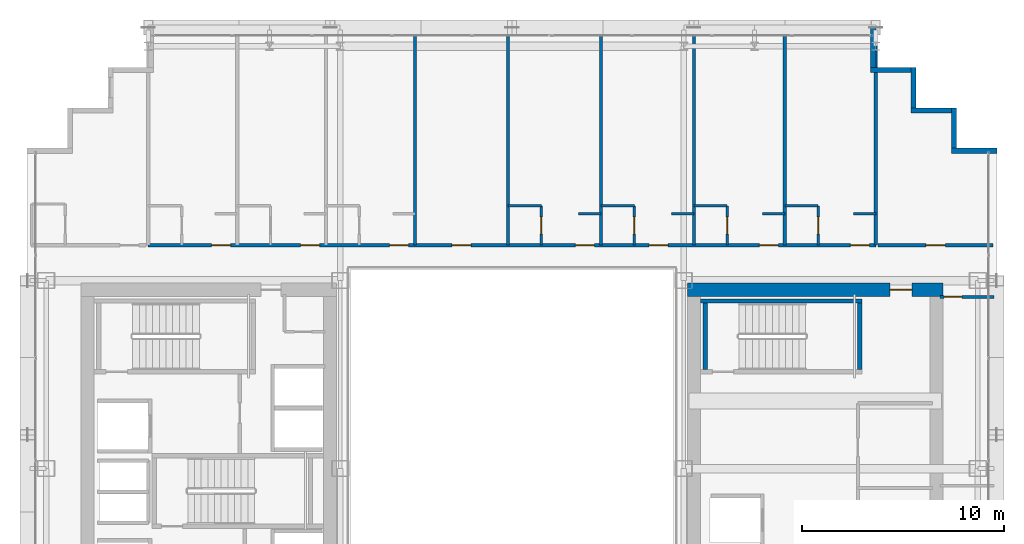
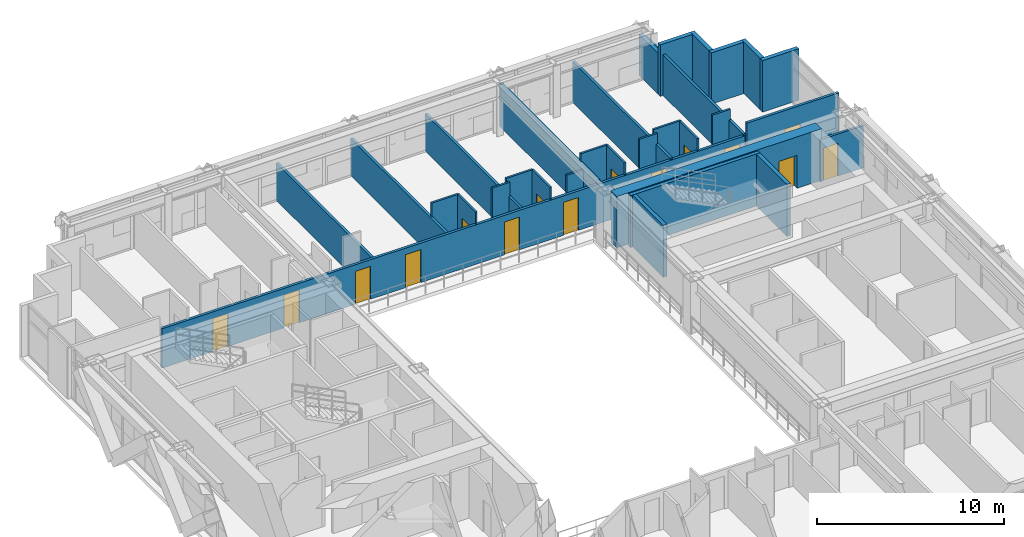
# One storey, part 31 of 36: 31 walls, 15 doors, 15 openings.
"""IFC4 building model written with IfcOpenShell, lengths in metres."""

import ifcopenshell
import ifcopenshell.guid

model = None  # the IFC model being written
_history = None  # IfcOwnerHistory: only IFC2X3 demands one
_inside = {}  # id of a spatial element -> (the spatial element, [elements in it])
_under = {}  # id of a project, library or spatial element -> (it, [spatial elements below it])
_declared = {}  # id of a project -> (the project, [libraries it declares])
_typed = {}  # id of a type object -> (the type object, [elements of that type])
_made_of = {}  # id of a material, layer set ... -> (it, [elements and type objects made of it])


def new_model(schema):
    """Start an empty IFC model of exactly this schema.

    Asked for "IFC4X3", IfcOpenShell would pick the latest addendum, in which some entities
    have other attributes; the version numbers below select the first issue.
    IFC2X3 requires an IfcOwnerHistory on every rooted entity: one is made here for all.
    """
    global model, _history
    if schema == "IFC4X3":
        model = ifcopenshell.file(schema_version=(4, 3, 0, 0))
    else:
        model = ifcopenshell.file(schema=schema)
    _inside.clear()
    _under.clear()
    _declared.clear()
    _typed.clear()
    _made_of.clear()
    _history = None
    if model.schema == "IFC2X3":
        org = make("IfcOrganization", Name="unknown")
        user = make(
            "IfcPersonAndOrganization",
            ThePerson=make("IfcPerson", FamilyName="unknown"),
            TheOrganization=org,
        )
        app = make(
            "IfcApplication",
            ApplicationDeveloper=org,
            Version="unknown",
            ApplicationFullName="unknown",
            ApplicationIdentifier="unknown",
        )
        _history = make(
            "IfcOwnerHistory",
            OwningUser=user,
            OwningApplication=app,
            ChangeAction="ADDED",
            CreationDate=0,
        )
    return model


def make(cls, **values):
    """One entity of the class cls with the attributes given. An attribute that is None is left unset."""
    return model.create_entity(
        cls, **{name: value for name, value in values.items() if value is not None}
    )


def rooted(cls, **values):
    """An entity with a GlobalId (a new one), such as an element, a storey or a relation."""
    return make(cls, GlobalId=ifcopenshell.guid.new(), OwnerHistory=_history, **values)


def si_unit(unit_type, name, prefix=None):
    """IfcSIUnit, for example si_unit("LENGTHUNIT", "METRE", prefix="MILLI")."""
    return make("IfcSIUnit", UnitType=unit_type, Prefix=prefix, Name=name)


def assignment(units):
    """IfcUnitAssignment: the units of a project."""
    return None if units is None else make("IfcUnitAssignment", Units=units)


def point(xyz):
    """IfcCartesianPoint."""
    return None if xyz is None else make("IfcCartesianPoint", Coordinates=xyz)


def direction(xyz):
    """IfcDirection."""
    return None if xyz is None else make("IfcDirection", DirectionRatios=xyz)


def frame(location, z_axis=None, x_axis=None):
    """IfcAxis2Placement3D, a coordinate frame: its origin and axes. An axis left out is left unset."""
    return make(
        "IfcAxis2Placement3D",
        Location=point(location),
        Axis=direction(z_axis),
        RefDirection=direction(x_axis),
    )


def frame_2d(location, x_axis=None):
    """IfcAxis2Placement2D, a coordinate frame in the plane: its origin and x axis."""
    return make(
        "IfcAxis2Placement2D", Location=point(location), RefDirection=direction(x_axis)
    )


def origin():
    """The frame at (0, 0, 0) with its axes left unset."""
    return frame((0.0, 0.0, 0.0))


def place(relative_to, where):
    """IfcLocalPlacement: puts the frame where relative to a parent placement (None: the world)."""
    return make(
        "IfcLocalPlacement", PlacementRelTo=relative_to, RelativePlacement=where
    )


def context(
    kind, dimensions, precision=None, world=None, true_north=None, identifier=None
):
    """IfcGeometricRepresentationContext, for example the 3D "Model" context."""
    return make(
        "IfcGeometricRepresentationContext",
        ContextIdentifier=identifier,
        ContextType=kind,
        CoordinateSpaceDimension=dimensions,
        Precision=precision,
        WorldCoordinateSystem=world,
        TrueNorth=true_north,
    )


def subcontext(parent, identifier, kind, view, scale=None):
    """IfcGeometricRepresentationSubContext, for example "Body" below "Model"."""
    return make(
        "IfcGeometricRepresentationSubContext",
        ContextIdentifier=identifier,
        ContextType=kind,
        ParentContext=parent,
        TargetScale=scale,
        TargetView=view,
    )


def project(units=None, contexts=None):
    """IfcProject with its units and contexts."""
    return rooted(
        "IfcProject",
        Name="project",
        RepresentationContexts=contexts,
        UnitsInContext=assignment(units),
    )


def spatial(cls, under=None, at=None, **own):
    """A site, building, storey or space (cls), placed at a placement, below another one or the project."""
    s = rooted(cls, ObjectPlacement=at, **own)
    if under is not None:
        _under.setdefault(under.id(), (under, []))[1].append(s)
    return s


def profile(cls, at=None, kind="AREA", **sizes):
    """A parametric profile (cls). Its sizes go by their IFC names, for example OverallWidth=200.0."""
    return make(cls, ProfileType=kind, Position=at, **sizes)


def rectangle(**sizes):
    """IfcRectangleProfileDef."""
    return profile("IfcRectangleProfileDef", **sizes)


def extrude(swept, where, along, depth):
    """IfcExtrudedAreaSolid: the profile swept, set in the frame where, extruded along a direction by depth."""
    return make(
        "IfcExtrudedAreaSolid",
        SweptArea=swept,
        Position=where,
        ExtrudedDirection=direction(along),
        Depth=depth,
    )


def shape(context_of_items, identifier, shape_type, items):
    """IfcShapeRepresentation: the items that make up one representation, for example the "Body"."""
    return make(
        "IfcShapeRepresentation",
        ContextOfItems=context_of_items,
        RepresentationIdentifier=identifier,
        RepresentationType=shape_type,
        Items=items,
    )


def source(mapping_origin, context_of_items, identifier, shape_type, items):
    """IfcRepresentationMap: a shape defined once, which mapped items show again and again."""
    return make(
        "IfcRepresentationMap",
        MappingOrigin=mapping_origin,
        MappedRepresentation=shape(context_of_items, identifier, shape_type, items),
    )


def transform(
    local_origin,
    x_axis=None,
    y_axis=None,
    z_axis=None,
    scale=None,
    scale2=None,
    scale3=None,
    uniform=True,
):
    """IfcCartesianTransformationOperator3D, or its non-uniform kind. x_axis, y_axis, z_axis: its Axis1, 2, 3."""
    if uniform:
        return make(
            "IfcCartesianTransformationOperator3D",
            Axis1=direction(x_axis),
            Axis2=direction(y_axis),
            LocalOrigin=point(local_origin),
            Scale=scale,
            Axis3=direction(z_axis),
        )
    return make(
        "IfcCartesianTransformationOperator3DnonUniform",
        Axis1=direction(x_axis),
        Axis2=direction(y_axis),
        LocalOrigin=point(local_origin),
        Scale=scale,
        Axis3=direction(z_axis),
        Scale2=scale2,
        Scale3=scale3,
    )


def mapped(mapping_source, mapping_target):
    """IfcMappedItem: shows the shape of a source again, moved by a transform."""
    return make(
        "IfcMappedItem", MappingSource=mapping_source, MappingTarget=mapping_target
    )


def material(Name=None, Category=None):
    """IfcMaterial."""
    return make("IfcMaterial", Name=Name, Category=Category)


def layer(
    of_material, thickness, ventilated=None, Name=None, Category=None, Priority=None
):
    """IfcMaterialLayer: one layer of a wall or slab, of a material (None: an air gap)."""
    return make(
        "IfcMaterialLayer",
        Material=of_material,
        LayerThickness=thickness,
        IsVentilated=ventilated,
        Name=Name,
        Category=Category,
        Priority=Priority,
    )


def layer_set(layers, Name=None):
    """IfcMaterialLayerSet."""
    return make("IfcMaterialLayerSet", MaterialLayers=layers, LayerSetName=Name)


def made_of(thing, what):
    """Note that an element or type object is made of a material, layer set ...; save() writes the relation."""
    if what is not None:
        _made_of.setdefault(what.id(), (what, []))[1].append(thing)
    return thing


def type_object(cls, material=None, **own):
    """A type object (cls), such as IfcWallType, which elements share."""
    return made_of(rooted(cls, **own), material)


def element(
    cls,
    number,
    at=None,
    inside=None,
    cuts=None,
    type_object=None,
    material=None,
    context=None,
    identifier="Body",
    shape_type=None,
    held_by="IfcProductDefinitionShape",
    body=None,
    shapes=None,
    **own,
):
    """One element of the class cls, such as IfcWall. Its Tag is "e" and its number.

    at: its placement. inside: the storey or other place that contains it. cuts: it is an
    opening in that element (IfcRelVoidsElement). A single representation is given by context,
    identifier, shape_type and body (its items); several are given by shapes. held_by: the class
    of the entity that holds the representations. save() writes the other relations.
    """
    e = rooted(cls, Tag="e%d" % number, ObjectPlacement=at, **own)
    if body is not None:
        shapes = [shape(context, identifier, shape_type, body)]
    if shapes is not None:
        e.Representation = make(held_by, Representations=shapes)
    if inside is not None:
        _inside.setdefault(inside.id(), (inside, []))[1].append(e)
    if cuts is not None:
        rooted(
            "IfcRelVoidsElement", RelatingBuildingElement=cuts, RelatedOpeningElement=e
        )
    if type_object is not None:
        _typed.setdefault(type_object.id(), (type_object, []))[1].append(e)
    return made_of(e, material)


def fill(opening, filler):
    """IfcRelFillsElement: the door or window that sits in an opening."""
    return rooted(
        "IfcRelFillsElement",
        RelatingOpeningElement=opening,
        RelatedBuildingElement=filler,
    )


def aggregate(whole, parts):
    """IfcRelAggregates: a whole, such as a stair, and the parts it consists of."""
    return rooted("IfcRelAggregates", RelatingObject=whole, RelatedObjects=parts)


def save(model, path):
    """Write the relations noted so far, then the file.

    IfcRelAggregates (storeys below a building ...), IfcRelContainedInSpatialStructure (elements
    in a storey), IfcRelDefinesByType, IfcRelAssociatesMaterial and IfcRelDeclares: one each for
    every whole, place, type object, material and project.
    """
    for whole, parts in _under.values():
        aggregate(whole, parts)
    for where, things in _inside.values():
        rooted(
            "IfcRelContainedInSpatialStructure",
            RelatedElements=things,
            RelatingStructure=where,
        )
    for kind, things in _typed.values():
        rooted("IfcRelDefinesByType", RelatedObjects=things, RelatingType=kind)
    for what, things in _made_of.values():
        rooted("IfcRelAssociatesMaterial", RelatedObjects=things, RelatingMaterial=what)
    for by, libraries in _declared.values():
        rooted("IfcRelDeclares", RelatingContext=by, RelatedDefinitions=libraries)
    model.write(path)


model = new_model("IFC4")

# Units and contexts
model_context = context("Model", 3, precision=1e-05, world=origin(), true_north=direction((0.0, 1.0)))
body_context = subcontext(model_context, "Body", "Model", "MODEL_VIEW")
ifc_project = project(units=[si_unit("LENGTHUNIT", "METRE"), si_unit("AREAUNIT", "SQUARE_METRE"), si_unit("VOLUMEUNIT", "CUBIC_METRE"), si_unit("PLANEANGLEUNIT", "RADIAN"), si_unit("MASSUNIT", "GRAM", prefix="KILO")], contexts=[model_context])

# Site, building, storey
site_placement = place(None, origin())
site = spatial("IfcSite", under=ifc_project, at=site_placement, CompositionType="ELEMENT")
building_placement = place(site_placement, origin())
building = spatial("IfcBuilding", under=site, at=building_placement, Name="Ocotamira Hotel", CompositionType="ELEMENT")
storey_placement = place(building_placement, frame((0.0, 0.0, 136.800048828125)))
storey = spatial("IfcBuildingStorey", under=building, at=storey_placement, Name="L34", CompositionType="ELEMENT", Elevation=136.800048828125)

# Wall, opening, door
ifc_material_1 = material(Name="Concrete C60/75", Category="concrete")
ifc_layer_1 = layer(ifc_material_1, 0.64990234375)
ifc_layer_set_1 = layer_set([ifc_layer_1], Name="Concrete C60/75")
wall_type_1 = type_object("IfcWallType", Name="WL-CORE-650", PredefinedType="SHEAR", material=ifc_layer_set_1)
wall_1_placement = place(storey_placement, frame((40.675048828125, 37.0, 0.0), z_axis=(0.0, 0.0, 1.0), x_axis=(1.0, 0.0, 0.0)))
wall_1 = element("IfcWall", 1, at=wall_1_placement, inside=storey, type_object=wall_type_1, Name="L34 Shear Core Wall ECORE-N", PredefinedType="SHEAR", context=body_context, shape_type="SweptSolid", body=[
    extrude(rectangle(XDim=12.64990234375, YDim=0.64990234375, at=frame_2d((6.324951171875, 0.0))), origin(), (0.0, 0.0, 1.0), 3.35986328125),
])
opening_1_placement = place(wall_1_placement, frame((10.02490234375, 0.0, 0.0)))
opening_1 = element("IfcOpeningElement", 2, at=opening_1_placement, cuts=wall_1, Name="Opening D-FR1", PredefinedType="OPENING", context=body_context, shape_type="SweptSolid", body=[
    extrude(rectangle(XDim=1.10009765625, YDim=2.14990234375, at=frame_2d((0.550048828125, 1.074951171875))), frame((0.0, 0.3349609375, 0.0), z_axis=(0.0, -1.0, 0.0), x_axis=(1.0, 0.0, 0.0)), (0.0, 0.0, 1.0), 0.669921875),
])
ifc_material_2 = material(Name="Fire-rated acoustic timber-veneer door", Category="wood")
door_type_1 = type_object("IfcDoorType", Name="DR-FIRE-1100", OperationType="NOTDEFINED", PredefinedType="DOOR", material=ifc_material_2)
shared_shape_1 = source(origin(), body_context, "Body", "SweptSolid", [
    extrude(rectangle(XDim=1.10009765625, YDim=2.14990234375, at=frame_2d((0.550048828125, 1.074951171875))), frame((0.0, 0.02490234375, 0.0), z_axis=(0.0, -1.0, 0.0), x_axis=(1.0, 0.0, 0.0)), (0.0, 0.0, 1.0), 0.050048828125),
])
door_1_placement = place(opening_1_placement, origin())
door_1 = element("IfcDoor", 3, at=door_1_placement, inside=storey, type_object=door_type_1, Name="L34 Door ID-L34-ELOB-N-D [ID-L34-ELOB-N-D]", OperationType="SINGLE_SWING_LEFT", OverallHeight=2.14990234375, OverallWidth=1.10009765625, PredefinedType="DOOR", context=body_context, shape_type="MappedRepresentation", body=[
    mapped(shared_shape_1, transform((0.0, 0.0, 0.0), scale=1.0)),
])
fill(opening_1, door_1)

# Walls
ifc_material_3 = material(Name="Precast concrete C45/55", Category="concrete")
ifc_layer_2 = layer(ifc_material_3, 0.25)
ifc_layer_set_2 = layer_set([ifc_layer_2], Name="Precast concrete C45/55")
wall_type_2 = type_object("IfcWallType", Name="WL-EXT-SER-250", PredefinedType="SOLIDWALL", material=ifc_layer_set_2)
wall_2_placement = place(storey_placement, frame((56.0, 43.875, 0.0), z_axis=(0.0, 0.0, 1.0), x_axis=(-1.0, 0.0, 0.0)))
element("IfcWall", 4, at=wall_2_placement, inside=storey, type_object=wall_type_2, Name="L34 Serrated Corner Wall 07", PredefinedType="SOLIDWALL", context=body_context, shape_type="SweptSolid", body=[
    extrude(rectangle(XDim=2.25, YDim=0.25, at=frame_2d((1.125, 0.0))), origin(), (0.0, 0.0, 1.0), 3.35986328125),
])
for number, where, z_axis, x_axis, name in (
    (5, (53.875, 44.0, 0.0), (0.0, 0.0, 1.0), (0.0, 1.0, 0.0), "L34 Serrated Corner Wall 08"),
    (6, (53.75, 45.875, 0.0), (0.0, 0.0, 1.0), (-1.0, 0.0, 0.0), "L34 Serrated Corner Wall 09"),
    (7, (51.875, 46.0, 0.0), (0.0, 0.0, 1.0), (0.0, 1.0, 0.0), "L34 Serrated Corner Wall 10"),
    (8, (51.75, 47.875, 0.0), (0.0, 0.0, 1.0), (-1.0, 0.0, 0.0), "L34 Serrated Corner Wall 11"),
):
    element("IfcWall", number, at=place(storey_placement, frame(where, z_axis=z_axis, x_axis=x_axis)), inside=storey, type_object=wall_type_2, Name=name, PredefinedType="SOLIDWALL", context=body_context, shape_type="SweptSolid", body=[
        extrude(rectangle(XDim=2.0, YDim=0.25, at=frame_2d((1.0, 0.0))), origin(), (0.0, 0.0, 1.0), 3.35986328125),
    ])
wall_3_placement = place(storey_placement, frame((49.875, 48.0, 0.0), z_axis=(0.0, 0.0, 1.0), x_axis=(0.0, 1.0, 0.0)))
element("IfcWall", 9, at=wall_3_placement, inside=storey, type_object=wall_type_2, Name="L34 Serrated Corner Wall 12", PredefinedType="SOLIDWALL", context=body_context, shape_type="SweptSolid", body=[
    extrude(rectangle(XDim=2.0, YDim=0.25, at=frame_2d((1.0, 0.0))), origin(), (0.0, 0.0, 1.0), 2.6669921875),
])

# Wall, opening, door
ifc_material_4 = material(Name="Acoustic double-layer fire gypsum board partition", Category="gypsum")
ifc_layer_3 = layer(ifc_material_4, 0.159912109375)
ifc_layer_set_3 = layer_set([ifc_layer_3], Name="Acoustic double-layer fire gypsum board partition")
wall_type_3 = type_object("IfcWallType", Name="WL-FIRE-160", PredefinedType="PARTITIONING", material=ifc_layer_set_3)
wall_4_placement = place(storey_placement, frame((50.1201171875, 39.199951171875, 0.0), z_axis=(0.0, 0.0, 1.0), x_axis=(1.0, 0.0, 0.0)))
wall_4 = element("IfcWall", 10, at=wall_4_placement, inside=storey, type_object=wall_type_3, Name="L34 Interior Wall PW-L34-Z2D-CNE-CW", PredefinedType="PARTITIONING", context=body_context, shape_type="SweptSolid", body=[
    extrude(rectangle(XDim=5.679931640625, YDim=0.159912109375, at=frame_2d((2.83984375, 0.0))), origin(), (0.0, 0.0, 1.0), 3.35986328125),
])
opening_2_placement = place(wall_4_placement, frame((2.360107421875, 0.0, 0.0)))
opening_2 = element("IfcOpeningElement", 11, at=opening_2_placement, cuts=wall_4, Name="Opening D-SV4", PredefinedType="OPENING", context=body_context, shape_type="SweptSolid", body=[
    extrude(rectangle(XDim=0.9599609375, YDim=2.14990234375, at=frame_2d((0.47998046875, 1.074951171875))), frame((0.0, 0.08984375, 0.0), z_axis=(0.0, -1.0, 0.0), x_axis=(1.0, 0.0, 0.0)), (0.0, 0.0, 1.0), 0.179931640625),
])
ifc_material_5 = material(Name="Fire-rated accessible walnut salon door", Category="wood")
door_type_2 = type_object("IfcDoorType", Name="DR-SERV-960", OperationType="NOTDEFINED", PredefinedType="DOOR", material=ifc_material_5)
shared_shape_2 = source(origin(), body_context, "Body", "SweptSolid", [
    extrude(rectangle(XDim=0.9599609375, YDim=2.14990234375, at=frame_2d((0.47998046875, 1.074951171875))), frame((0.0, 0.02490234375, 0.0), z_axis=(0.0, -1.0, 0.0), x_axis=(1.0, 0.0, 0.0)), (0.0, 0.0, 1.0), 0.050048828125),
])
door_2_placement = place(opening_2_placement, origin())
door_2 = element("IfcDoor", 12, at=door_2_placement, inside=storey, type_object=door_type_2, Name="L34 Door ID-L34-Z2D-CNE-CD [ID-L34-Z2D-CNE-CD]", OperationType="SINGLE_SWING_LEFT", OverallHeight=2.14990234375, OverallWidth=0.9599609375, PredefinedType="DOOR", context=body_context, shape_type="MappedRepresentation", body=[
    mapped(shared_shape_2, transform((0.0, 0.0, 0.0), scale=1.0)),
])
fill(opening_2, door_2)

# Wall, openings, doors
wall_5_placement = place(storey_placement, frame((14.0, 39.199951171875, 0.0), z_axis=(0.0, 0.0, 1.0), x_axis=(1.0, 0.0, 0.0)))
wall_5 = element("IfcWall", 13, at=wall_5_placement, inside=storey, type_object=wall_type_3, Name="L34 Interior Wall PW-L34-Z2DN-CORRW", PredefinedType="PARTITIONING", context=body_context, shape_type="SweptSolid", body=[
    extrude(rectangle(XDim=36.0, YDim=0.159912109375, at=frame_2d((18.0, 0.0))), origin(), (0.0, 0.0, 1.0), 2.5810546875),
])
opening_3_placement = place(wall_5_placement, frame((3.139892578125, 0.0, 0.0)))
opening_3 = element("IfcOpeningElement", 14, at=opening_3_placement, cuts=wall_5, Name="Opening D-GR1", PredefinedType="OPENING", context=body_context, shape_type="SweptSolid", body=[
    extrude(rectangle(XDim=0.93994140625, YDim=2.14990234375, at=frame_2d((0.469970703125, 1.074951171875))), frame((0.0, 0.08984375, 0.0), z_axis=(0.0, -1.0, 0.0), x_axis=(1.0, 0.0, 0.0)), (0.0, 0.0, 1.0), 0.179931640625),
])
opening_4_placement = place(wall_5_placement, frame((7.5400390625, 0.0, 0.0)))
opening_4 = element("IfcOpeningElement", 15, at=opening_4_placement, cuts=wall_5, Name="Opening D-GR1", PredefinedType="OPENING", context=body_context, shape_type="SweptSolid", body=[
    extrude(rectangle(XDim=0.93994140625, YDim=2.14990234375, at=frame_2d((0.469970703125, 1.074951171875))), frame((0.0, 0.08984375, 0.0), z_axis=(0.0, -1.0, 0.0), x_axis=(1.0, 0.0, 0.0)), (0.0, 0.0, 1.0), 0.179931640625),
])
opening_5_placement = place(wall_5_placement, frame((11.93994140625, 0.0, 0.0)))
opening_5 = element("IfcOpeningElement", 16, at=opening_5_placement, cuts=wall_5, Name="Opening D-GR1", PredefinedType="OPENING", context=body_context, shape_type="SweptSolid", body=[
    extrude(rectangle(XDim=0.93994140625, YDim=2.14990234375, at=frame_2d((0.469970703125, 1.074951171875))), frame((0.0, 0.08984375, 0.0), z_axis=(0.0, -1.0, 0.0), x_axis=(1.0, 0.0, 0.0)), (0.0, 0.0, 1.0), 0.179931640625),
])
opening_6_placement = place(wall_5_placement, frame((15.02001953125, 0.0, 0.0)))
opening_6 = element("IfcOpeningElement", 17, at=opening_6_placement, cuts=wall_5, Name="Opening D-SV4", PredefinedType="OPENING", context=body_context, shape_type="SweptSolid", body=[
    extrude(rectangle(XDim=0.9599609375, YDim=2.14990234375, at=frame_2d((0.47998046875, 1.074951171875))), frame((0.0, 0.08984375, 0.0), z_axis=(0.0, -1.0, 0.0), x_axis=(1.0, 0.0, 0.0)), (0.0, 0.0, 1.0), 0.179931640625),
])
opening_7_placement = place(wall_5_placement, frame((21.139892578125, 0.0, 0.0)))
opening_7 = element("IfcOpeningElement", 18, at=opening_7_placement, cuts=wall_5, Name="Opening D-GR1", PredefinedType="OPENING", context=body_context, shape_type="SweptSolid", body=[
    extrude(rectangle(XDim=0.93994140625, YDim=2.14990234375, at=frame_2d((0.469970703125, 1.074951171875))), frame((0.0, 0.08984375, 0.0), z_axis=(0.0, -1.0, 0.0), x_axis=(1.0, 0.0, 0.0)), (0.0, 0.0, 1.0), 0.179931640625),
])
opening_8_placement = place(wall_5_placement, frame((24.7900390625, 0.0, 0.0)))
opening_8 = element("IfcOpeningElement", 19, at=opening_8_placement, cuts=wall_5, Name="Opening D-GR1", PredefinedType="OPENING", context=body_context, shape_type="SweptSolid", body=[
    extrude(rectangle(XDim=0.93994140625, YDim=2.14990234375, at=frame_2d((0.469970703125, 1.074951171875))), frame((0.0, 0.08984375, 0.0), z_axis=(0.0, -1.0, 0.0), x_axis=(1.0, 0.0, 0.0)), (0.0, 0.0, 1.0), 0.179931640625),
])
opening_9_placement = place(wall_5_placement, frame((30.239990234375, 0.0, 0.0)))
opening_9 = element("IfcOpeningElement", 20, at=opening_9_placement, cuts=wall_5, Name="Opening D-GR1", PredefinedType="OPENING", context=body_context, shape_type="SweptSolid", body=[
    extrude(rectangle(XDim=0.93994140625, YDim=2.14990234375, at=frame_2d((0.469970703125, 1.074951171875))), frame((0.0, 0.08984375, 0.0), z_axis=(0.0, -1.0, 0.0), x_axis=(1.0, 0.0, 0.0)), (0.0, 0.0, 1.0), 0.179931640625),
])
opening_10_placement = place(wall_5_placement, frame((34.739990234375, 0.0, 0.0)))
opening_10 = element("IfcOpeningElement", 21, at=opening_10_placement, cuts=wall_5, Name="Opening D-GR1", PredefinedType="OPENING", context=body_context, shape_type="SweptSolid", body=[
    extrude(rectangle(XDim=0.93994140625, YDim=2.14990234375, at=frame_2d((0.469970703125, 1.074951171875))), frame((0.0, 0.08984375, 0.0), z_axis=(0.0, -1.0, 0.0), x_axis=(1.0, 0.0, 0.0)), (0.0, 0.0, 1.0), 0.179931640625),
])
door_3_placement = place(opening_6_placement, origin())
door_3 = element("IfcDoor", 22, at=door_3_placement, inside=storey, type_object=door_type_2, Name="L34 Door ID-L34-Z2DN-AMD4 [ID-L34-Z2DN-AMD4]", OperationType="SINGLE_SWING_RIGHT", OverallHeight=2.14990234375, OverallWidth=0.9599609375, PredefinedType="DOOR", context=body_context, shape_type="MappedRepresentation", body=[
    mapped(shared_shape_2, transform((0.0, 0.0, 0.0), scale=1.0)),
])
fill(opening_6, door_3)
ifc_material_6 = material(Name="Solid-core walnut suite entrance fire door", Category="wood")
door_type_3 = type_object("IfcDoorType", Name="DR-GUEST-940", OperationType="NOTDEFINED", PredefinedType="DOOR", material=ifc_material_6)
shared_shape_3 = source(origin(), body_context, "Body", "SweptSolid", [
    extrude(rectangle(XDim=0.93994140625, YDim=2.14990234375, at=frame_2d((0.469970703125, 1.074951171875))), frame((0.0, 0.02490234375, 0.0), z_axis=(0.0, -1.0, 0.0), x_axis=(1.0, 0.0, 0.0)), (0.0, 0.0, 1.0), 0.050048828125),
])
door_4_placement = place(opening_3_placement, origin())
door_4 = element("IfcDoor", 23, at=door_4_placement, inside=storey, type_object=door_type_3, Name="L34 Door ID-L34-Z2DN-RMD1 [ID-L34-Z2DN-RMD1]", OperationType="SINGLE_SWING_LEFT", OverallHeight=2.14990234375, OverallWidth=0.93994140625, PredefinedType="DOOR", context=body_context, shape_type="MappedRepresentation", body=[
    mapped(shared_shape_3, transform((0.0, 0.0, 0.0), scale=1.0)),
])
fill(opening_3, door_4)
door_5_placement = place(opening_4_placement, origin())
door_5 = element("IfcDoor", 24, at=door_5_placement, inside=storey, type_object=door_type_3, Name="L34 Door ID-L34-Z2DN-RMD2 [ID-L34-Z2DN-RMD2]", OperationType="SINGLE_SWING_RIGHT", OverallHeight=2.14990234375, OverallWidth=0.93994140625, PredefinedType="DOOR", context=body_context, shape_type="MappedRepresentation", body=[
    mapped(shared_shape_3, transform((0.0, 0.0, 0.0), scale=1.0)),
])
fill(opening_4, door_5)
door_6_placement = place(opening_5_placement, origin())
door_6 = element("IfcDoor", 25, at=door_6_placement, inside=storey, type_object=door_type_3, Name="L34 Door ID-L34-Z2DN-RMD3 [ID-L34-Z2DN-RMD3]", OperationType="SINGLE_SWING_LEFT", OverallHeight=2.14990234375, OverallWidth=0.93994140625, PredefinedType="DOOR", context=body_context, shape_type="MappedRepresentation", body=[
    mapped(shared_shape_3, transform((0.0, 0.0, 0.0), scale=1.0)),
])
fill(opening_5, door_6)
door_7_placement = place(opening_7_placement, origin())
door_7 = element("IfcDoor", 26, at=door_7_placement, inside=storey, type_object=door_type_3, Name="L34 Door ID-L34-Z2DN-RMD5 [ID-L34-Z2DN-RMD5]", OperationType="SINGLE_SWING_LEFT", OverallHeight=2.14990234375, OverallWidth=0.93994140625, PredefinedType="DOOR", context=body_context, shape_type="MappedRepresentation", body=[
    mapped(shared_shape_3, transform((0.0, 0.0, 0.0), scale=1.0)),
])
fill(opening_7, door_7)
door_8_placement = place(opening_8_placement, origin())
door_8 = element("IfcDoor", 27, at=door_8_placement, inside=storey, type_object=door_type_3, Name="L34 Door ID-L34-Z2DN-RMD6 [ID-L34-Z2DN-RMD6]", OperationType="SINGLE_SWING_RIGHT", OverallHeight=2.14990234375, OverallWidth=0.93994140625, PredefinedType="DOOR", context=body_context, shape_type="MappedRepresentation", body=[
    mapped(shared_shape_3, transform((0.0, 0.0, 0.0), scale=1.0)),
])
fill(opening_8, door_8)
door_9_placement = place(opening_9_placement, origin())
door_9 = element("IfcDoor", 28, at=door_9_placement, inside=storey, type_object=door_type_3, Name="L34 Door ID-L34-Z2DN-RMD7 [ID-L34-Z2DN-RMD7]", OperationType="SINGLE_SWING_LEFT", OverallHeight=2.14990234375, OverallWidth=0.93994140625, PredefinedType="DOOR", context=body_context, shape_type="MappedRepresentation", body=[
    mapped(shared_shape_3, transform((0.0, 0.0, 0.0), scale=1.0)),
])
fill(opening_9, door_9)
door_10_placement = place(opening_10_placement, origin())
door_10 = element("IfcDoor", 29, at=door_10_placement, inside=storey, type_object=door_type_3, Name="L34 Door ID-L34-Z2DN-RMD8 [ID-L34-Z2DN-RMD8]", OperationType="SINGLE_SWING_RIGHT", OverallHeight=2.14990234375, OverallWidth=0.93994140625, PredefinedType="DOOR", context=body_context, shape_type="MappedRepresentation", body=[
    mapped(shared_shape_3, transform((0.0, 0.0, 0.0), scale=1.0)),
])
fill(opening_10, door_10)

# Wall, opening, door
ifc_material_7 = material(Name="Moisture-resistant en-suite tile and gypsum partition", Category="gypsum")
ifc_layer_4 = layer(ifc_material_7, 0.1201171875)
ifc_layer_set_4 = layer_set([ifc_layer_4], Name="Moisture-resistant en-suite tile and gypsum partition")
wall_type_4 = type_object("IfcWallType", Name="WL-PART-120", PredefinedType="PARTITIONING", material=ifc_layer_set_4)
wall_6_placement = place(storey_placement, frame((33.449951171875, 39.199951171875, 0.0), z_axis=(0.0, 0.0, 1.0), x_axis=(0.0, 1.0, 0.0)))
wall_6 = element("IfcWall", 30, at=wall_6_placement, inside=storey, type_object=wall_type_4, Name="L34 Interior Wall PW-L34-Z2DN-BAE5", PredefinedType="PARTITIONING", context=body_context, shape_type="SweptSolid", body=[
    extrude(rectangle(XDim=1.949951171875, YDim=0.1201171875, at=frame_2d((0.97509765625, 0.0))), origin(), (0.0, 0.0, 1.0), 3.35986328125),
])
opening_11_placement = place(wall_6_placement, frame((0.544921875, 0.0, 0.0)))
opening_11 = element("IfcOpeningElement", 31, at=opening_11_placement, cuts=wall_6, Name="Opening D-BA1", PredefinedType="OPENING", context=body_context, shape_type="SweptSolid", body=[
    extrude(rectangle(XDim=0.860107421875, YDim=2.10009765625, at=frame_2d((0.43017578125, 1.050048828125))), frame((0.0, 0.070068359375, 0.0), z_axis=(0.0, -1.0, 0.0), x_axis=(1.0, 0.0, 0.0)), (0.0, 0.0, 1.0), 0.14013671875),
])
ifc_material_8 = material(Name="Moisture-sealed en-suite timber door", Category="wood")
door_type_4 = type_object("IfcDoorType", Name="DR-BATH-860", OperationType="NOTDEFINED", PredefinedType="DOOR", material=ifc_material_8)
shared_shape_4 = source(origin(), body_context, "Body", "SweptSolid", [
    extrude(rectangle(XDim=0.860107421875, YDim=2.10009765625, at=frame_2d((0.43017578125, 1.050048828125))), frame((0.0, 0.02490234375, 0.0), z_axis=(0.0, -1.0, 0.0), x_axis=(1.0, 0.0, 0.0)), (0.0, 0.0, 1.0), 0.050048828125),
])
door_11_placement = place(opening_11_placement, origin())
door_11 = element("IfcDoor", 32, at=door_11_placement, inside=storey, type_object=door_type_4, Name="L34 Door ID-L34-Z2DN-BAD5 [ID-L34-Z2DN-BAD5]", OperationType="SINGLE_SWING_RIGHT", OverallHeight=2.10009765625, OverallWidth=0.860107421875, PredefinedType="DOOR", context=body_context, shape_type="MappedRepresentation", body=[
    mapped(shared_shape_4, transform((0.0, 0.0, 0.0), scale=1.0)),
])
fill(opening_11, door_11)

# Walls
wall_7_placement = place(storey_placement, frame((31.800048828125, 41.14990234375, 0.0), z_axis=(0.0, 0.0, 1.0), x_axis=(1.0, 0.0, 0.0)))
element("IfcWall", 33, at=wall_7_placement, inside=storey, type_object=wall_type_4, Name="L34 Interior Wall PW-L34-Z2DN-BAN5", PredefinedType="PARTITIONING", context=body_context, shape_type="SweptSolid", body=[
    extrude(rectangle(XDim=1.64990234375, YDim=0.1201171875, at=frame_2d((0.824951171875, 0.0))), origin(), (0.0, 0.0, 1.0), 3.35986328125),
])
wall_8_placement = place(storey_placement, frame((35.300048828125, 40.75, 0.0), z_axis=(0.0, 0.0, 1.0), x_axis=(1.0, 0.0, 0.0)))
element("IfcWall", 34, at=wall_8_placement, inside=storey, type_object=wall_type_4, Name="L34 Interior Wall PW-L34-Z2DN-DRN5", PredefinedType="PARTITIONING", context=body_context, shape_type="SweptSolid", body=[
    extrude(rectangle(XDim=1.099853515625, YDim=0.1201171875, at=frame_2d((0.5498046875, 0.0))), origin(), (0.0, 0.0, 1.0), 3.35986328125),
])

# Wall, opening, door
wall_9_placement = place(storey_placement, frame((38.050048828125, 39.199951171875, 0.0), z_axis=(0.0, 0.0, 1.0), x_axis=(0.0, 1.0, 0.0)))
wall_9 = element("IfcWall", 35, at=wall_9_placement, inside=storey, type_object=wall_type_4, Name="L34 Interior Wall PW-L34-Z2DN-BAE6", PredefinedType="PARTITIONING", context=body_context, shape_type="SweptSolid", body=[
    extrude(rectangle(XDim=1.949951171875, YDim=0.1201171875, at=frame_2d((0.97509765625, 0.0))), origin(), (0.0, 0.0, 1.0), 3.35986328125),
])
opening_12_placement = place(wall_9_placement, frame((0.544921875, 0.0, 0.0)))
opening_12 = element("IfcOpeningElement", 36, at=opening_12_placement, cuts=wall_9, Name="Opening D-BA1", PredefinedType="OPENING", context=body_context, shape_type="SweptSolid", body=[
    extrude(rectangle(XDim=0.860107421875, YDim=2.10009765625, at=frame_2d((0.43017578125, 1.050048828125))), frame((0.0, 0.070068359375, 0.0), z_axis=(0.0, -1.0, 0.0), x_axis=(1.0, 0.0, 0.0)), (0.0, 0.0, 1.0), 0.14013671875),
])
door_12_placement = place(opening_12_placement, origin())
door_12 = element("IfcDoor", 37, at=door_12_placement, inside=storey, type_object=door_type_4, Name="L34 Door ID-L34-Z2DN-BAD6 [ID-L34-Z2DN-BAD6]", OperationType="SINGLE_SWING_LEFT", OverallHeight=2.10009765625, OverallWidth=0.860107421875, PredefinedType="DOOR", context=body_context, shape_type="MappedRepresentation", body=[
    mapped(shared_shape_4, transform((0.0, 0.0, 0.0), scale=1.0)),
])
fill(opening_12, door_12)

# Walls
wall_10_placement = place(storey_placement, frame((36.39990234375, 41.14990234375, 0.0), z_axis=(0.0, 0.0, 1.0), x_axis=(1.0, 0.0, 0.0)))
element("IfcWall", 38, at=wall_10_placement, inside=storey, type_object=wall_type_4, Name="L34 Interior Wall PW-L34-Z2DN-BAN6", PredefinedType="PARTITIONING", context=body_context, shape_type="SweptSolid", body=[
    extrude(rectangle(XDim=1.650146484375, YDim=0.1201171875, at=frame_2d((0.8251953125, 0.0))), origin(), (0.0, 0.0, 1.0), 3.35986328125),
])
wall_11_placement = place(storey_placement, frame((39.89990234375, 40.75, 0.0), z_axis=(0.0, 0.0, 1.0), x_axis=(1.0, 0.0, 0.0)))
element("IfcWall", 39, at=wall_11_placement, inside=storey, type_object=wall_type_4, Name="L34 Interior Wall PW-L34-Z2DN-DRN6", PredefinedType="PARTITIONING", context=body_context, shape_type="SweptSolid", body=[
    extrude(rectangle(XDim=1.10009765625, YDim=0.1201171875, at=frame_2d((0.550048828125, 0.0))), origin(), (0.0, 0.0, 1.0), 2.5810546875),
])

# Wall, opening, door
wall_12_placement = place(storey_placement, frame((42.64990234375, 39.199951171875, 0.0), z_axis=(0.0, 0.0, 1.0), x_axis=(0.0, 1.0, 0.0)))
wall_12 = element("IfcWall", 40, at=wall_12_placement, inside=storey, type_object=wall_type_4, Name="L34 Interior Wall PW-L34-Z2DN-BAE7", PredefinedType="PARTITIONING", context=body_context, shape_type="SweptSolid", body=[
    extrude(rectangle(XDim=1.949951171875, YDim=0.1201171875, at=frame_2d((0.97509765625, 0.0))), origin(), (0.0, 0.0, 1.0), 3.35986328125),
])
opening_13_placement = place(wall_12_placement, frame((0.544921875, 0.0, 0.0)))
opening_13 = element("IfcOpeningElement", 41, at=opening_13_placement, cuts=wall_12, Name="Opening D-BA1", PredefinedType="OPENING", context=body_context, shape_type="SweptSolid", body=[
    extrude(rectangle(XDim=0.860107421875, YDim=2.10009765625, at=frame_2d((0.43017578125, 1.050048828125))), frame((0.0, 0.070068359375, 0.0), z_axis=(0.0, -1.0, 0.0), x_axis=(1.0, 0.0, 0.0)), (0.0, 0.0, 1.0), 0.14013671875),
])
door_13_placement = place(opening_13_placement, origin())
door_13 = element("IfcDoor", 42, at=door_13_placement, inside=storey, type_object=door_type_4, Name="L34 Door ID-L34-Z2DN-BAD7 [ID-L34-Z2DN-BAD7]", OperationType="SINGLE_SWING_RIGHT", OverallHeight=2.10009765625, OverallWidth=0.860107421875, PredefinedType="DOOR", context=body_context, shape_type="MappedRepresentation", body=[
    mapped(shared_shape_4, transform((0.0, 0.0, 0.0), scale=1.0)),
])
fill(opening_13, door_13)

# Walls
wall_13_placement = place(storey_placement, frame((41.0, 41.14990234375, 0.0), z_axis=(0.0, 0.0, 1.0), x_axis=(1.0, 0.0, 0.0)))
element("IfcWall", 43, at=wall_13_placement, inside=storey, type_object=wall_type_4, Name="L34 Interior Wall PW-L34-Z2DN-BAN7", PredefinedType="PARTITIONING", context=body_context, shape_type="SweptSolid", body=[
    extrude(rectangle(XDim=1.64990234375, YDim=0.1201171875, at=frame_2d((0.824951171875, 0.0))), origin(), (0.0, 0.0, 1.0), 3.35986328125),
])
wall_14_placement = place(storey_placement, frame((44.39990234375, 40.75, 0.0), z_axis=(0.0, 0.0, 1.0), x_axis=(1.0, 0.0, 0.0)))
element("IfcWall", 44, at=wall_14_placement, inside=storey, type_object=wall_type_4, Name="L34 Interior Wall PW-L34-Z2DN-DRN7", PredefinedType="PARTITIONING", context=body_context, shape_type="SweptSolid", body=[
    extrude(rectangle(XDim=1.10009765625, YDim=0.1201171875, at=frame_2d((0.550048828125, 0.0))), origin(), (0.0, 0.0, 1.0), 3.35986328125),
])

# Wall, opening, door
wall_15_placement = place(storey_placement, frame((47.14990234375, 39.199951171875, 0.0), z_axis=(0.0, 0.0, 1.0), x_axis=(0.0, 1.0, 0.0)))
wall_15 = element("IfcWall", 45, at=wall_15_placement, inside=storey, type_object=wall_type_4, Name="L34 Interior Wall PW-L34-Z2DN-BAE8", PredefinedType="PARTITIONING", context=body_context, shape_type="SweptSolid", body=[
    extrude(rectangle(XDim=1.949951171875, YDim=0.1201171875, at=frame_2d((0.97509765625, 0.0))), origin(), (0.0, 0.0, 1.0), 3.35986328125),
])
opening_14_placement = place(wall_15_placement, frame((0.544921875, 0.0, 0.0)))
opening_14 = element("IfcOpeningElement", 46, at=opening_14_placement, cuts=wall_15, Name="Opening D-BA1", PredefinedType="OPENING", context=body_context, shape_type="SweptSolid", body=[
    extrude(rectangle(XDim=0.860107421875, YDim=2.10009765625, at=frame_2d((0.43017578125, 1.050048828125))), frame((0.0, 0.070068359375, 0.0), z_axis=(0.0, -1.0, 0.0), x_axis=(1.0, 0.0, 0.0)), (0.0, 0.0, 1.0), 0.14013671875),
])
door_14_placement = place(opening_14_placement, origin())
door_14 = element("IfcDoor", 47, at=door_14_placement, inside=storey, type_object=door_type_4, Name="L34 Door ID-L34-Z2DN-BAD8 [ID-L34-Z2DN-BAD8]", OperationType="SINGLE_SWING_LEFT", OverallHeight=2.10009765625, OverallWidth=0.860107421875, PredefinedType="DOOR", context=body_context, shape_type="MappedRepresentation", body=[
    mapped(shared_shape_4, transform((0.0, 0.0, 0.0), scale=1.0)),
])
fill(opening_14, door_14)

# Walls
wall_16_placement = place(storey_placement, frame((45.5, 41.14990234375, 0.0), z_axis=(0.0, 0.0, 1.0), x_axis=(1.0, 0.0, 0.0)))
element("IfcWall", 48, at=wall_16_placement, inside=storey, type_object=wall_type_4, Name="L34 Interior Wall PW-L34-Z2DN-BAN8", PredefinedType="PARTITIONING", context=body_context, shape_type="SweptSolid", body=[
    extrude(rectangle(XDim=1.64990234375, YDim=0.1201171875, at=frame_2d((0.824951171875, 0.0))), origin(), (0.0, 0.0, 1.0), 3.35986328125),
])
wall_17_placement = place(storey_placement, frame((48.89990234375, 40.75, 0.0), z_axis=(0.0, 0.0, 1.0), x_axis=(1.0, 0.0, 0.0)))
element("IfcWall", 49, at=wall_17_placement, inside=storey, type_object=wall_type_4, Name="L34 Interior Wall PW-L34-Z2DN-DRN8", PredefinedType="PARTITIONING", context=body_context, shape_type="SweptSolid", body=[
    extrude(rectangle(XDim=1.10009765625, YDim=0.1201171875, at=frame_2d((0.550048828125, 0.0))), origin(), (0.0, 0.0, 1.0), 3.35986328125),
])

# Wall, opening, door
ifc_material_9 = material(Name="Acoustic hospitality gypsum board partition", Category="gypsum")
ifc_layer_5 = layer(ifc_material_9, 0.14990234375)
ifc_layer_set_5 = layer_set([ifc_layer_5], Name="Acoustic hospitality gypsum board partition")
wall_type_5 = type_object("IfcWallType", Name="WL-PART-150", PredefinedType="PARTITIONING", material=ifc_layer_set_5)
wall_18_placement = place(storey_placement, frame((53.179931640625, 36.639892578125, 0.0), z_axis=(0.0, 0.0, 1.0), x_axis=(1.0, 0.0, 0.0)))
wall_18 = element("IfcWall", 50, at=wall_18_placement, inside=storey, type_object=wall_type_5, Name="L34 Interior Wall PW-L34-Z2D-EF-WN", PredefinedType="PARTITIONING", context=body_context, shape_type="SweptSolid", body=[
    extrude(rectangle(XDim=2.66015625, YDim=0.14990234375, at=frame_2d((1.330078125, 0.0))), origin(), (0.0, 0.0, 1.0), 2.742919921875),
])
opening_15_placement = place(wall_18_placement, frame((0.199951171875, 0.0, 0.0)))
opening_15 = element("IfcOpeningElement", 51, at=opening_15_placement, cuts=wall_18, Name="Opening D-SV2", PredefinedType="OPENING", context=body_context, shape_type="SweptSolid", body=[
    extrude(rectangle(XDim=0.8798828125, YDim=2.14990234375, at=frame_2d((0.43994140625, 1.074951171875))), frame((0.0, 0.0849609375, 0.0), z_axis=(0.0, -1.0, 0.0), x_axis=(1.0, 0.0, 0.0)), (0.0, 0.0, 1.0), 0.169921875),
])
ifc_material_10 = material(Name="Fire-rated painted steel service door", Category="steel")
door_type_5 = type_object("IfcDoorType", Name="DR-SERV-880", OperationType="NOTDEFINED", PredefinedType="DOOR", material=ifc_material_10)
shared_shape_5 = source(origin(), body_context, "Body", "SweptSolid", [
    extrude(rectangle(XDim=0.8798828125, YDim=2.14990234375, at=frame_2d((0.43994140625, 1.074951171875))), frame((0.0, 0.02490234375, 0.0), z_axis=(0.0, -1.0, 0.0), x_axis=(1.0, 0.0, 0.0)), (0.0, 0.0, 1.0), 0.050048828125),
])
door_15_placement = place(opening_15_placement, origin())
door_15 = element("IfcDoor", 52, at=door_15_placement, inside=storey, type_object=door_type_5, Name="L34 Door ID-L34-Z2D-EF-DN [ID-L34-Z2D-EF-DN]", OperationType="SINGLE_SWING_LEFT", OverallHeight=2.14990234375, OverallWidth=0.8798828125, PredefinedType="DOOR", context=body_context, shape_type="MappedRepresentation", body=[
    mapped(shared_shape_5, transform((0.0, 0.0, 0.0), scale=1.0)),
])
fill(opening_15, door_15)

# Walls
ifc_material_11 = material(Name="Acoustic double-stud hospitality gypsum partition", Category="gypsum")
ifc_layer_6 = layer(ifc_material_11, 0.159912109375)
ifc_layer_set_6 = layer_set([ifc_layer_6], Name="Acoustic double-stud hospitality gypsum partition")
wall_type_6 = type_object("IfcWallType", Name="WL-PART-160", PredefinedType="PARTITIONING", material=ifc_layer_set_6)
wall_19_placement = place(storey_placement, frame((50.0, 39.199951171875, 0.0), z_axis=(0.0, 0.0, 1.0), x_axis=(0.0, 1.0, 0.0)))
element("IfcWall", 53, at=wall_19_placement, inside=storey, type_object=wall_type_6, Name="L34 Interior Wall PW-L34-Z2DN-PWEND", PredefinedType="PARTITIONING", context=body_context, shape_type="SweptSolid", body=[
    extrude(rectangle(XDim=10.43994140625, YDim=0.159912109375, at=frame_2d((5.219970703125, 0.0))), origin(), (0.0, 0.0, 1.0), 2.6669921875),
])
for number, where, z_axis, x_axis, name in (
    (54, (27.199951171875, 39.199951171875, 0.0), (0.0, 0.0, 1.0), (0.0, 1.0, 0.0), "L34 Interior Wall PW-L34-Z2DN-PW3"),
    (55, (31.800048828125, 39.199951171875, 0.0), (0.0, 0.0, 1.0), (0.0, 1.0, 0.0), "L34 Interior Wall PW-L34-Z2DN-PW4"),
    (56, (36.39990234375, 39.199951171875, 0.0), (0.0, 0.0, 1.0), (0.0, 1.0, 0.0), "L34 Interior Wall PW-L34-Z2DN-PW5"),
):
    element("IfcWall", number, at=place(storey_placement, frame(where, z_axis=z_axis, x_axis=x_axis)), inside=storey, type_object=wall_type_6, Name=name, PredefinedType="PARTITIONING", context=body_context, shape_type="SweptSolid", body=[
        extrude(rectangle(XDim=10.43994140625, YDim=0.159912109375, at=frame_2d((5.219970703125, 0.0))), origin(), (0.0, 0.0, 1.0), 2.432861328125),
    ])
wall_20_placement = place(storey_placement, frame((41.0, 39.199951171875, 0.0), z_axis=(0.0, 0.0, 1.0), x_axis=(0.0, 1.0, 0.0)))
element("IfcWall", 57, at=wall_20_placement, inside=storey, type_object=wall_type_6, Name="L34 Interior Wall PW-L34-Z2DN-PW6", PredefinedType="PARTITIONING", context=body_context, shape_type="SweptSolid", body=[
    extrude(rectangle(XDim=10.43994140625, YDim=0.159912109375, at=frame_2d((5.219970703125, 0.0))), origin(), (0.0, 0.0, 1.0), 2.822998046875),
])
wall_21_placement = place(storey_placement, frame((45.5, 39.199951171875, 0.0), z_axis=(0.0, 0.0, 1.0), x_axis=(0.0, 1.0, 0.0)))
element("IfcWall", 58, at=wall_21_placement, inside=storey, type_object=wall_type_6, Name="L34 Interior Wall PW-L34-Z2DN-PW7", PredefinedType="PARTITIONING", context=body_context, shape_type="SweptSolid", body=[
    extrude(rectangle(XDim=10.43994140625, YDim=0.159912109375, at=frame_2d((5.219970703125, 0.0))), origin(), (0.0, 0.0, 1.0), 2.6669921875),
])
ifc_material_12 = material(Name="Concrete C50/60", Category="concrete")
ifc_layer_7 = layer(ifc_material_12, 0.219970703125)
ifc_layer_set_7 = layer_set([ifc_layer_7], Name="Concrete C50/60")
wall_type_7 = type_object("IfcWallType", Name="WL-STAIR-220", PredefinedType="SHEAR", material=ifc_layer_set_7)
wall_22_placement = place(storey_placement, frame((41.324951171875, 36.43994140625, 0.0), z_axis=(0.0, 0.0, 1.0), x_axis=(1.0, 0.0, 0.0)))
element("IfcWall", 59, at=wall_22_placement, inside=storey, type_object=wall_type_7, Name="L34 Stair Shaft Structural Wall ST-4-N", PredefinedType="SHEAR", context=body_context, shape_type="SweptSolid", body=[
    extrude(rectangle(XDim=7.985107421875, YDim=0.219970703125, at=frame_2d((3.99267578125, 0.0))), origin(), (0.0, 0.0, 1.0), 3.39990234375),
])
for number, where, z_axis, x_axis, name in (
    (60, (41.56005859375, 33.050048828125, 0.0), (0.0, 0.0, 1.0), (0.0, 1.0, 0.0), "L34 Stair Shaft Structural Wall ST-4-W"),
    (61, (49.199951171875, 33.050048828125, 0.0), (0.0, 0.0, 1.0), (0.0, 1.0, 0.0), "L34 Stair Shaft Structural Wall ST-4-E"),
):
    element("IfcWall", number, at=place(storey_placement, frame(where, z_axis=z_axis, x_axis=x_axis)), inside=storey, type_object=wall_type_7, Name=name, PredefinedType="SHEAR", context=body_context, shape_type="SweptSolid", body=[
        extrude(rectangle(XDim=3.280029296875, YDim=0.219970703125, at=frame_2d((1.64013671875, 0.0))), origin(), (0.0, 0.0, 1.0), 3.39990234375),
    ])

save(model, "model.ifc")
